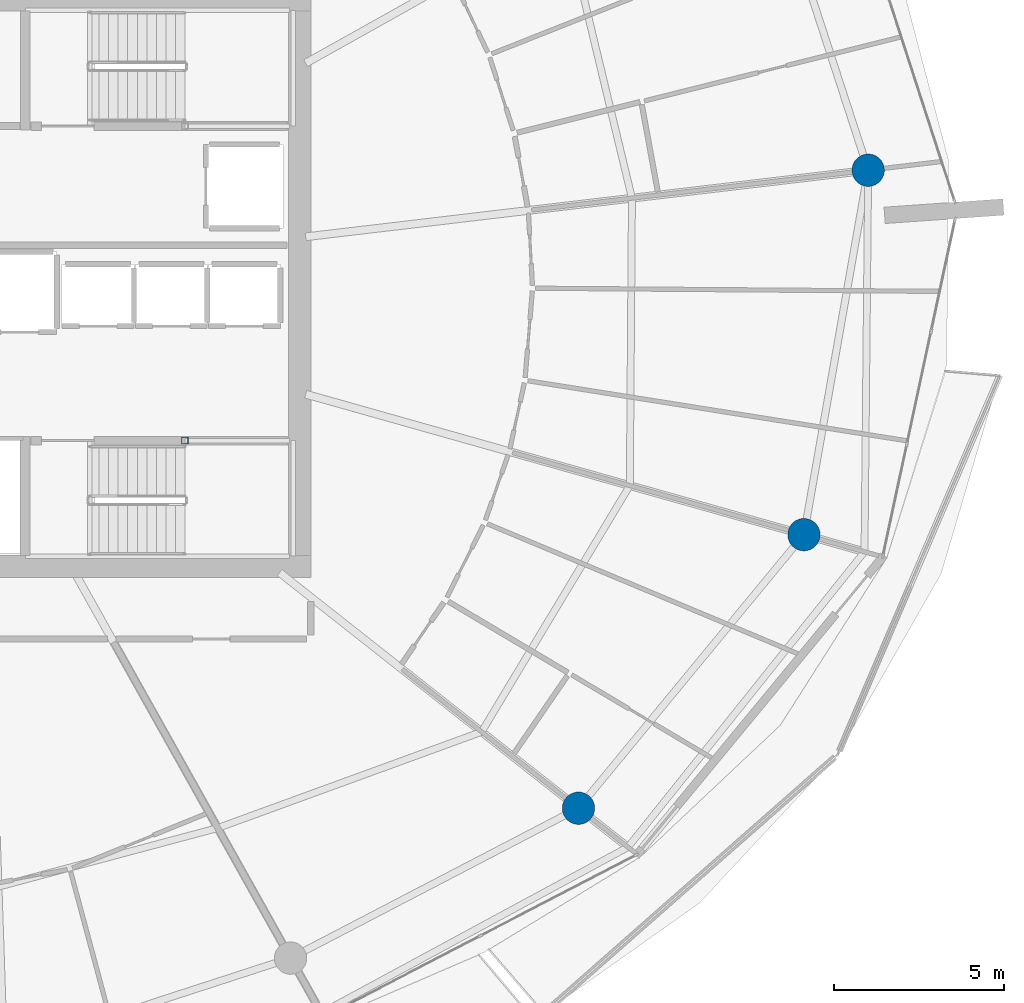
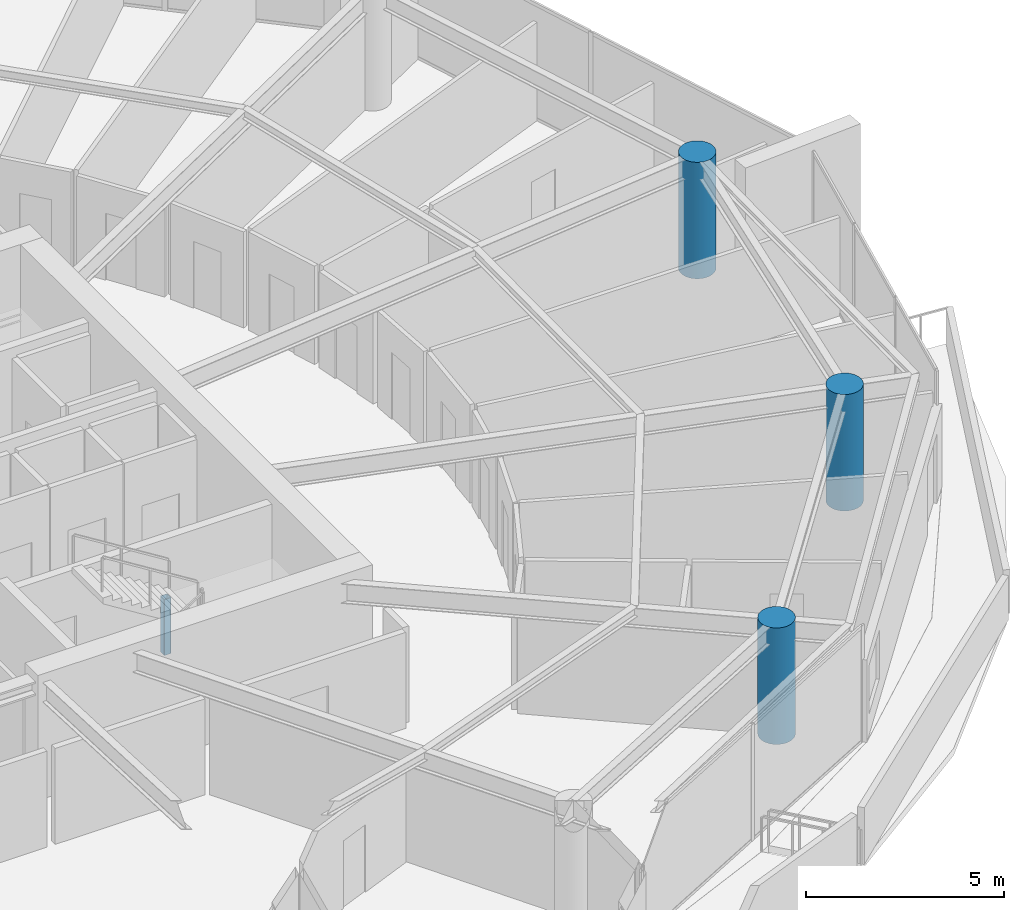
# One storey, part 3 of 31: 4 columns.
"""IFC4 building model written with IfcOpenShell, lengths in metres."""

from ifc_helpers import new_model, si_unit, direction, frame, origin, origin_2d, place, context, subcontext, project, spatial, hollow_rectangle, circle, extrude, material, material_profile, profile_set, type_object, element, save


model = new_model("IFC4")

# Units and contexts
model_context = context("Model", 3, precision=1e-05, world=origin(), true_north=direction((0.0, 1.0)))
body_context = subcontext(model_context, "Body", "Model", "MODEL_VIEW")
ifc_project = project(units=[si_unit("LENGTHUNIT", "METRE"), si_unit("AREAUNIT", "SQUARE_METRE"), si_unit("VOLUMEUNIT", "CUBIC_METRE"), si_unit("PLANEANGLEUNIT", "RADIAN"), si_unit("MASSUNIT", "GRAM", prefix="KILO")], contexts=[model_context])

# Site, building, storey
site_placement = place(None, origin())
site = spatial("IfcSite", under=ifc_project, at=site_placement, CompositionType="ELEMENT")
building_placement = place(site_placement, origin())
building = spatial("IfcBuilding", under=site, at=building_placement, Name="Kazma Halo Residences", CompositionType="ELEMENT")
storey_placement = place(building_placement, frame((0.0, 0.0, 259.800048828125)))
storey = spatial("IfcBuildingStorey", under=building, at=storey_placement, Name="L65", CompositionType="ELEMENT", Elevation=259.800048828125)

# Columns
ifc_material_1 = material(Name="Steel S355", Category="steel")
ifc_material_profile_1 = material_profile(ifc_material_1, hollow_rectangle(XDim=0.199951171875, YDim=0.199951171875, WallThickness=0.010009765625, InnerFilletRadius=0.010009765625, OuterFilletRadius=0.02001953125, at=origin_2d()), Name="SHS200x200x10")
ifc_profile_set_1 = profile_set([ifc_material_profile_1], Name="Steel S355")
column_type_1 = type_object("IfcColumnType", Name="COL-LP-SHS200", PredefinedType="COLUMN", material=ifc_profile_set_1)
column_placement = place(storey_placement, frame((56.0, 37.3798828125, 0.0), z_axis=(0.0, 0.0, 1.0), x_axis=(1.0, 0.0, 0.0)))
element("IfcColumn", 1, at=column_placement, inside=storey, type_object=column_type_1, Name="L65 ST-03 landing pilaster 1", PredefinedType="COLUMN", context=body_context, shape_type="SweptSolid", body=[
    extrude(hollow_rectangle(XDim=0.199951171875, YDim=0.199951171875, WallThickness=0.010009765625, InnerFilletRadius=0.010009765625, OuterFilletRadius=0.02001953125, at=origin_2d()), origin(), (0.0, 0.0, 1.0), 1.719970703125),
])
ifc_material_2 = material(Name="Concrete C60/75", Category="concrete")
ifc_material_profile_2 = material_profile(ifc_material_2, circle(Radius=0.47509765625, at=origin_2d()), Name="CIRC950")
ifc_profile_set_2 = profile_set([ifc_material_profile_2], Name="Concrete C60/75")
column_type_2 = type_object("IfcColumnType", Name="COL-PERIM-950", PredefinedType="COLUMN", material=ifc_profile_set_2)
for number, where, z_axis, x_axis, name in (
    (2, (67.566162109375, 26.5751953125, 0.0), (0.0, 0.0, 1.0), (1.0, 0.0, 0.0), "L65 perimeter ring column P14"),
    (3, (74.19091796875, 34.61328125, 0.0), (0.0, 0.0, 1.0), (1.0, 0.0, 0.0), "L65 perimeter ring column P15"),
    (4, (76.07958984375, 45.323486328125, 0.0), (0.0, 0.0, 1.0), (1.0, 0.0, 0.0), "L65 perimeter ring column P16"),
):
    element("IfcColumn", number, at=place(storey_placement, frame(where, z_axis=z_axis, x_axis=x_axis)), inside=storey, type_object=column_type_2, Name=name, PredefinedType="COLUMN", context=body_context, shape_type="SweptSolid", body=[
        extrude(circle(Radius=0.47509765625, at=origin_2d()), origin(), (0.0, 0.0, 1.0), 3.58984375),
    ])

save(model, "model.ifc")
